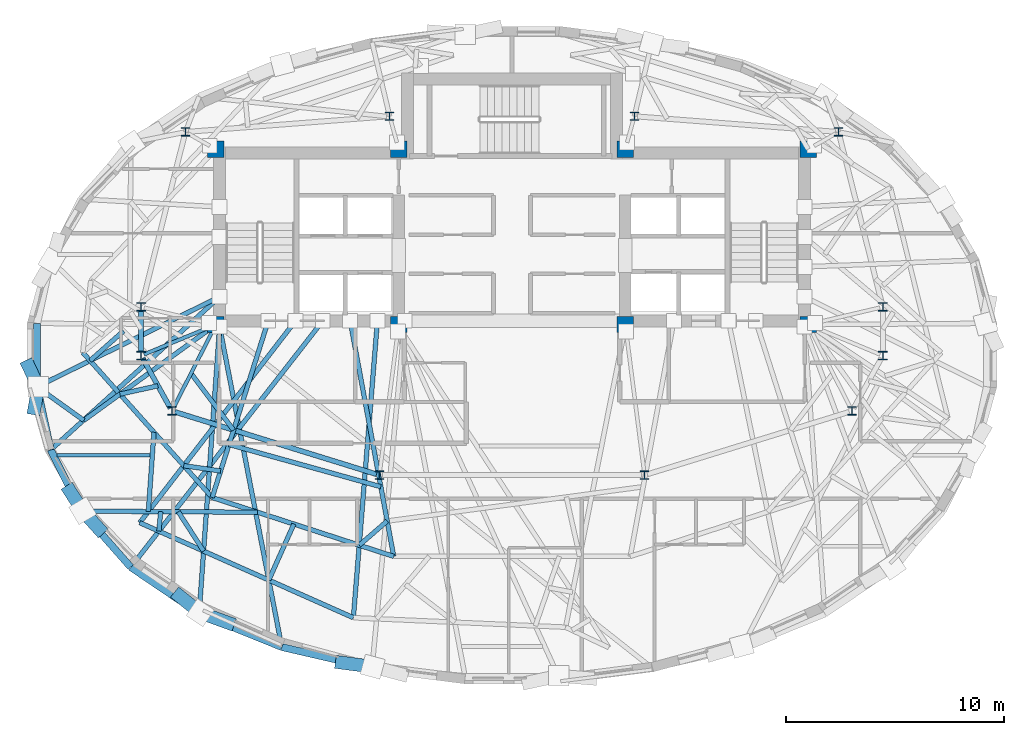
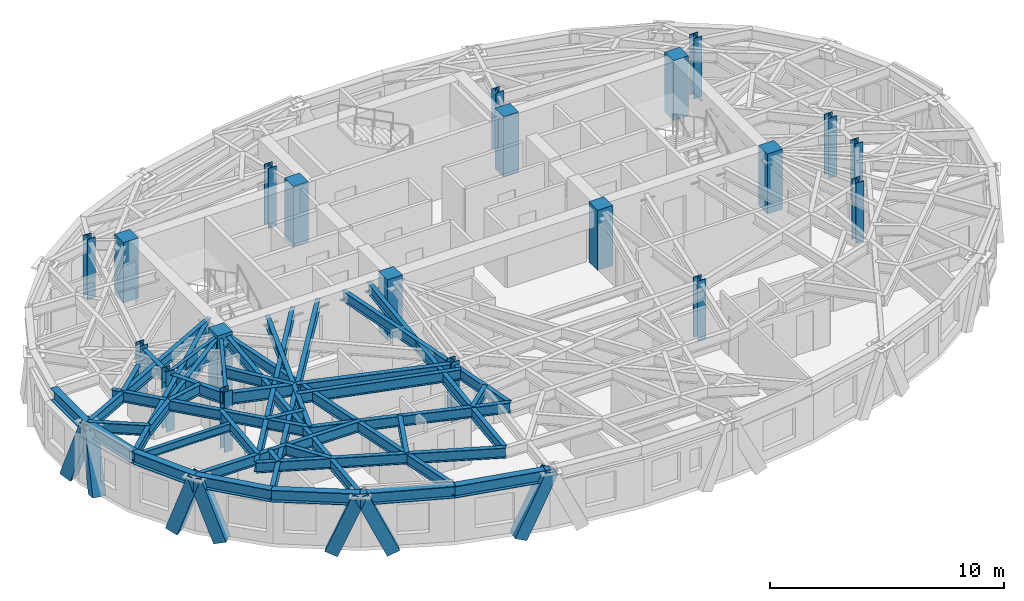
# One storey, part 1 of 13: 38 beams, 20 columns, 7 members.
"""IFC4 building model written with IfcOpenShell, lengths in metres."""

from ifc_helpers import new_model, si_unit, direction, frame, origin, origin_2d, place, context, subcontext, project, spatial, rectangle, hollow_rectangle, i_section, extrude, material, material_profile, profile_set, type_object, element, save


model = new_model("IFC4")

# Units and contexts
model_context = context("Model", 3, precision=1e-05, world=origin(), true_north=direction((0.0, 1.0)))
body_context = subcontext(model_context, "Body", "Model", "MODEL_VIEW")
ifc_project = project(units=[si_unit("LENGTHUNIT", "METRE"), si_unit("AREAUNIT", "SQUARE_METRE"), si_unit("VOLUMEUNIT", "CUBIC_METRE"), si_unit("PLANEANGLEUNIT", "RADIAN"), si_unit("MASSUNIT", "GRAM", prefix="KILO")], contexts=[model_context])

# Site, building, storey
site_placement = place(None, origin())
site = spatial("IfcSite", under=ifc_project, at=site_placement, CompositionType="ELEMENT")
building_placement = place(site_placement, origin())
building = spatial("IfcBuilding", under=site, at=building_placement, Name="Keldmark Tower", CompositionType="ELEMENT")
storey_placement = place(building_placement, frame((0.0, 0.0, 232.050048828125)))
storey = spatial("IfcBuildingStorey", under=building, at=storey_placement, Name="L65", CompositionType="ELEMENT", Elevation=232.050048828125)

# Columns
ifc_material_1 = material(Name="Concrete C50/60", Category="concrete")
ifc_material_profile_1 = material_profile(ifc_material_1, rectangle(XDim=0.75, YDim=0.75, at=origin_2d()), Name="RC750X750")
ifc_profile_set_1 = profile_set([ifc_material_profile_1], Name="Concrete C50/60")
column_type_1 = type_object("IfcColumnType", Name="Core Boundary Column RC750", PredefinedType="PILASTER", material=ifc_profile_set_1)
for number, where, z_axis, x_axis, name in (
    (1, (-13.60009765625, 1.39990234375, 0.0), (0.0, 0.0, 1.0), (1.0, 0.0, 0.0), "L65 Core Boundary Column CC-W1"),
    (2, (-13.60009765625, 9.449951171875, 0.0), (0.0, 0.0, 1.0), (1.0, 0.0, 0.0), "L65 Core Boundary Column CC-W2"),
    (3, (-5.199951171875, 1.39990234375, 0.0), (0.0, 0.0, 1.0), (1.0, 0.0, 0.0), "L65 Core Boundary Column CC-W3"),
    (4, (-5.199951171875, 9.449951171875, 0.0), (0.0, 0.0, 1.0), (1.0, 0.0, 0.0), "L65 Core Boundary Column CC-W4"),
    (5, (5.199951171875, 1.39990234375, 0.0), (0.0, 0.0, 1.0), (1.0, 0.0, 0.0), "L65 Core Boundary Column CC-E1"),
    (6, (5.199951171875, 9.449951171875, 0.0), (0.0, 0.0, 1.0), (1.0, 0.0, 0.0), "L65 Core Boundary Column CC-E2"),
    (7, (13.60009765625, 1.39990234375, 0.0), (0.0, 0.0, 1.0), (1.0, 0.0, 0.0), "L65 Core Boundary Column CC-E3"),
    (8, (13.60009765625, 9.449951171875, 0.0), (0.0, 0.0, 1.0), (1.0, 0.0, 0.0), "L65 Core Boundary Column CC-E4"),
):
    element("IfcColumn", number, at=place(storey_placement, frame(where, z_axis=z_axis, x_axis=x_axis)), inside=storey, type_object=column_type_1, Name=name, PredefinedType="PILASTER", context=body_context, shape_type="SweptSolid", body=[
        extrude(rectangle(XDim=0.75, YDim=0.75, at=origin_2d()), origin(), (0.0, 0.0, 1.0), 3.14990234375),
    ])
ifc_material_2 = material(Name="Steel ASTM A992 Grade 50", Category="steel")
ifc_material_profile_2 = material_profile(ifc_material_2, i_section(OverallWidth=0.39892578125, OverallDepth=0.386962890625, WebThickness=0.02099609375, FlangeThickness=0.033203125, at=origin_2d()), Name="W14X176")
ifc_profile_set_2 = profile_set([ifc_material_profile_2], Name="Steel ASTM A992 Grade 50")
column_type_2 = type_object("IfcColumnType", Name="Tower Gravity Column W14X176", PredefinedType="COLUMN", material=ifc_profile_set_2)
for number, where, z_axis, x_axis, name in (
    (9, (17.025634765625, 2.2080078125, 0.0), (0.0, 0.0, 1.0), (1.0, 0.0, 0.0), "L65 Tower Gravity Column TC-E1"),
    (10, (14.995849609375, 10.24365234375, 0.0), (0.0, 0.0, 1.0), (1.0, 0.0, 0.0), "L65 Tower Gravity Column TC-E4"),
    (11, (5.61865234375, 10.967041015625, 0.0), (0.0, 0.0, 1.0), (1.0, 0.0, 0.0), "L65 Tower Gravity Column TC-N2"),
    (12, (-5.61865234375, 10.967041015625, 0.0), (0.0, 0.0, 1.0), (1.0, 0.0, 0.0), "L65 Tower Gravity Column TC-N1"),
    (13, (-14.995849609375, 10.24365234375, 0.0), (0.0, 0.0, 1.0), (1.0, 0.0, 0.0), "L65 Tower Gravity Column TC-W4"),
    (14, (-17.025634765625, 2.2080078125, 0.0), (0.0, 0.0, 1.0), (1.0, 0.0, 0.0), "L65 Tower Gravity Column TC-W1"),
    (15, (-17.025634765625, -0.02392578125, 0.0), (0.0, 0.0, 1.0), (1.0, 0.0, 0.0), "L65 Tower Gravity Column TC-W5"),
    (16, (-15.6162109375, -2.5673828125, 0.0), (0.0, 0.0, 1.0), (1.0, 0.0, 0.0), "L65 Tower Gravity Column TC-W2"),
    (17, (-6.089599609375, -5.512939453125, 0.0), (0.0, 0.0, 1.0), (1.0, 0.0, 0.0), "L65 Tower Gravity Column TC-W3"),
    (18, (6.089599609375, -5.512939453125, 0.0), (0.0, 0.0, 1.0), (1.0, 0.0, 0.0), "L65 Tower Gravity Column TC-E3"),
    (19, (15.6162109375, -2.5673828125, 0.0), (0.0, 0.0, 1.0), (1.0, 0.0, 0.0), "L65 Tower Gravity Column TC-E2"),
    (20, (17.025634765625, -0.02392578125, 0.0), (0.0, 0.0, 1.0), (1.0, 0.0, 0.0), "L65 Tower Gravity Column TC-E5"),
):
    element("IfcColumn", number, at=place(storey_placement, frame(where, z_axis=z_axis, x_axis=x_axis)), inside=storey, type_object=column_type_2, Name=name, PredefinedType="COLUMN", context=body_context, shape_type="SweptSolid", body=[
        extrude(i_section(OverallWidth=0.39892578125, OverallDepth=0.386962890625, WebThickness=0.02099609375, FlangeThickness=0.033203125, at=origin_2d()), origin(), (0.0, 0.0, 1.0), 3.14990234375),
    ])

# Beam
ifc_material_3 = material(Name="Steel ASTM A992 Grade 50", Category="steel")
ifc_material_profile_3 = material_profile(ifc_material_3, i_section(OverallWidth=0.177978515625, OverallDepth=0.403076171875, WebThickness=0.007568359375, FlangeThickness=0.010986328125, at=origin_2d()), Name="W16X36")
ifc_profile_set_3 = profile_set([ifc_material_profile_3], Name="Steel ASTM A992 Grade 50")
beam_type_1 = type_object("IfcBeamType", Name="Composite Floor Joist W16X36", PredefinedType="JOIST", material=ifc_profile_set_3)
beam_1_placement = place(storey_placement, frame((-20.889404296875, -4.60009765625, 2.7685546875), z_axis=(1.0, 0.0, 0.0), x_axis=(0.0, 1.0, 0.0)))
element("IfcBeam", 21, at=beam_1_placement, inside=storey, type_object=beam_type_1, Name="L65 Composite Floor Joist J03", PredefinedType="JOIST", context=body_context, shape_type="SweptSolid", body=[
    extrude(i_section(OverallWidth=0.177978515625, OverallDepth=0.403076171875, WebThickness=0.007568359375, FlangeThickness=0.010986328125, at=origin_2d()), origin(), (0.0, 0.0, 1.0), 4.277099609375),
])

# Members
ifc_material_4 = material(Name="Steel ASTM A572 Grade 50", Category="steel")
ifc_material_profile_4 = material_profile(ifc_material_4, hollow_rectangle(XDim=0.60009765625, YDim=0.60009765625, WallThickness=0.034912109375, at=origin_2d()), Name="BOX600X600X35")
ifc_profile_set_4 = profile_set([ifc_material_profile_4], Name="Steel ASTM A572 Grade 50")
member_type = type_object("IfcMemberType", Name="Diagrid Zone 4 Brace BOX600X600X35", PredefinedType="BRACE", material=ifc_profile_set_4)
member_1_placement = place(storey_placement, frame((-22.19970703125, -0.50146484375, -0.260009765625), z_axis=(0.13700703102, -0.292440170333, 0.9464184171), x_axis=(0.905547333127, 0.424245244483, 0.0)))
element("IfcMember", 22, at=member_1_placement, inside=storey, type_object=member_type, Name="L65 Perimeter Diagrid Brace 08B", PredefinedType="BRACE", context=body_context, shape_type="SweptSolid", body=[
    extrude(hollow_rectangle(XDim=0.60009765625, YDim=0.60009765625, WallThickness=0.034912109375, at=origin_2d()), origin(), (0.0, 0.0, 1.0), 3.285888671875),
])
member_2_placement = place(storey_placement, frame((-21.9287109375, -2.455810546875, -0.260009765625), z_axis=(0.054747909819, 0.307080578642, 0.950107459497), x_axis=(-0.984476308416, 0.175517515273, 0.0)))
element("IfcMember", 23, at=member_2_placement, inside=storey, type_object=member_type, Name="L65 Perimeter Diagrid Brace 09A", PredefinedType="BRACE", context=body_context, shape_type="SweptSolid", body=[
    extrude(hollow_rectangle(XDim=0.60009765625, YDim=0.60009765625, WallThickness=0.034912109375, at=origin_2d()), origin(), (0.0, 0.0, 1.0), 3.273193359375),
])
member_3_placement = place(storey_placement, frame((-20.3017578125, -6.241455078125, -0.260009765625), z_axis=(0.177536205333, -0.27594495407, 0.944634997298), x_axis=(0.840980150857, 0.541065971823, 0.0)))
element("IfcMember", 24, at=member_3_placement, inside=storey, type_object=member_type, Name="L65 Perimeter Diagrid Brace 09B", PredefinedType="BRACE", context=body_context, shape_type="SweptSolid", body=[
    extrude(hollow_rectangle(XDim=0.60009765625, YDim=0.60009765625, WallThickness=0.034912109375, at=origin_2d()), origin(), (0.0, 0.0, 1.0), 3.292236328125),
])
member_4_placement = place(storey_placement, frame((-18.958251953125, -7.98828125, -0.260009765625), z_axis=(-0.230438966078, 0.256379009589, 0.938705324559), x_axis=(-0.743729809907, -0.668480343656, 0.0)))
element("IfcMember", 25, at=member_4_placement, inside=storey, type_object=member_type, Name="L65 Perimeter Diagrid Brace 10A", PredefinedType="BRACE", context=body_context, shape_type="SweptSolid", body=[
    extrude(hollow_rectangle(XDim=0.60009765625, YDim=0.60009765625, WallThickness=0.034912109375, at=origin_2d()), origin(), (0.0, 0.0, 1.0), 3.31298828125),
])
member_5_placement = place(storey_placement, frame((-15.27587890625, -11.057861328125, -0.260009765625), z_axis=(0.285944073993, -0.23141248776, 0.929883996559), x_axis=(0.629089754103, 0.777332670922, 0.0)))
element("IfcMember", 26, at=member_5_placement, inside=storey, type_object=member_type, Name="L65 Perimeter Diagrid Brace 10B", PredefinedType="BRACE", context=body_context, shape_type="SweptSolid", body=[
    extrude(hollow_rectangle(XDim=0.60009765625, YDim=0.60009765625, WallThickness=0.034912109375, at=origin_2d()), origin(), (0.0, 0.0, 1.0), 3.34423828125),
])
member_6_placement = place(storey_placement, frame((-13.013916015625, -12.30029296875, -0.260009765625), z_axis=(-0.3853766859, 0.139844048228, 0.912101119471), x_axis=(-0.341111913508, -0.940022692525, 0.0)))
element("IfcMember", 27, at=member_6_placement, inside=storey, type_object=member_type, Name="L65 Perimeter Diagrid Brace 11A", PredefinedType="BRACE", context=body_context, shape_type="SweptSolid", body=[
    extrude(hollow_rectangle(XDim=0.60009765625, YDim=0.60009765625, WallThickness=0.034912109375, at=origin_2d()), origin(), (0.0, 0.0, 1.0), 3.40966796875),
])
member_7_placement = place(storey_placement, frame((-7.83935546875, -14.1220703125, -0.260009765625), z_axis=(0.419875252522, -0.05540020693, 0.905889391367), x_axis=(0.130810693925, 0.991407364485, 0.0)))
element("IfcMember", 28, at=member_7_placement, inside=storey, type_object=member_type, Name="L65 Perimeter Diagrid Brace 11B", PredefinedType="BRACE", context=body_context, shape_type="SweptSolid", body=[
    extrude(hollow_rectangle(XDim=0.60009765625, YDim=0.60009765625, WallThickness=0.034912109375, at=origin_2d()), origin(), (0.0, 0.0, 1.0), 3.432861328125),
])

# Beams
ifc_material_5 = material(Name="Steel ASTM A992 Grade 50", Category="steel")
ifc_material_profile_5 = material_profile(ifc_material_5, i_section(OverallWidth=0.22802734375, OverallDepth=0.60302734375, WebThickness=0.010498046875, FlangeThickness=0.014892578125, at=origin_2d()), Name="W24X68")
ifc_profile_set_5 = profile_set([ifc_material_profile_5], Name="Steel ASTM A992 Grade 50")
beam_type_2 = type_object("IfcBeamType", Name="Primary Floor Girder W24X68", PredefinedType="BEAM", material=ifc_profile_set_5)
beam_2_placement = place(storey_placement, frame((-17.025634765625, 2.068115234375, 2.66845703125), z_axis=(0.0, -1.0, 0.0), x_axis=(1.0, 0.0, 0.0)))
element("IfcBeam", 29, at=beam_2_placement, inside=storey, type_object=beam_type_2, Name="L65 Floor Ring Girder FG-R06", PredefinedType="BEAM", context=body_context, shape_type="SweptSolid", body=[
    extrude(i_section(OverallWidth=0.22802734375, OverallDepth=0.60302734375, WebThickness=0.010498046875, FlangeThickness=0.014892578125, at=origin_2d()), origin(), (0.0, 0.0, 1.0), 1.9521484375),
])
beam_3_placement = place(storey_placement, frame((-16.957763671875, -0.146484375, 2.66845703125), z_axis=(0.484719680408, -0.874669555561, 0.0), x_axis=(0.874669555561, 0.484719680408, 0.0)))
element("IfcBeam", 30, at=beam_3_placement, inside=storey, type_object=beam_type_2, Name="L65 Floor Ring Girder FG-R07", PredefinedType="BEAM", context=body_context, shape_type="SweptSolid", body=[
    extrude(i_section(OverallWidth=0.22802734375, OverallDepth=0.60302734375, WebThickness=0.010498046875, FlangeThickness=0.014892578125, at=origin_2d()), origin(), (0.0, 0.0, 1.0), 2.627685546875),
])
beam_4_placement = place(storey_placement, frame((-15.482421875, -2.60888671875, 2.66845703125), z_axis=(0.955383255089, -0.295368982622, 0.0), x_axis=(0.295368982622, 0.955383255089, 0.0)))
element("IfcBeam", 31, at=beam_4_placement, inside=storey, type_object=beam_type_2, Name="L65 Floor Ring Girder FG-R08", PredefinedType="BEAM", context=body_context, shape_type="SweptSolid", body=[
    extrude(i_section(OverallWidth=0.22802734375, OverallDepth=0.60302734375, WebThickness=0.010498046875, FlangeThickness=0.014892578125, at=origin_2d()), origin(), (0.0, 0.0, 1.0), 9.69140625),
])
ifc_material_6 = material(Name="Steel ASTM A992 Grade 50", Category="steel")
ifc_material_profile_6 = material_profile(ifc_material_6, i_section(OverallWidth=0.166015625, OverallDepth=0.529052734375, WebThickness=0.009765625, FlangeThickness=0.013671875, at=origin_2d()), Name="W21X50")
ifc_profile_set_6 = profile_set([ifc_material_profile_6], Name="Steel ASTM A992 Grade 50")
beam_type_3 = type_object("IfcBeamType", Name="Radial Tie Girder W21X50", PredefinedType="BEAM", material=ifc_profile_set_6)
beam_5_placement = place(storey_placement, frame((-16.896240234375, 0.02978515625, 2.70556640625), z_axis=(0.923403331902, 0.383831065226, 0.0), x_axis=(-0.383831065226, 0.923403331902, 0.0)))
element("IfcBeam", 32, at=beam_5_placement, inside=storey, type_object=beam_type_3, Name="L65 Floor Radial Girder FG-C07", PredefinedType="BEAM", context=body_context, shape_type="SweptSolid", body=[
    extrude(i_section(OverallWidth=0.166015625, OverallDepth=0.529052734375, WebThickness=0.009765625, FlangeThickness=0.013671875, at=origin_2d()), origin(), (0.0, 0.0, 1.0), 3.249755859375),
])
beam_6_placement = place(storey_placement, frame((-15.552734375, -2.442626953125, 2.70556640625), z_axis=(0.453004410574, 0.89150827478, 0.0), x_axis=(-0.89150827478, 0.453004410574, 0.0)))
element("IfcBeam", 33, at=beam_6_placement, inside=storey, type_object=beam_type_3, Name="L65 Floor Radial Girder FG-C08", PredefinedType="BEAM", context=body_context, shape_type="SweptSolid", body=[
    extrude(i_section(OverallWidth=0.166015625, OverallDepth=0.529052734375, WebThickness=0.009765625, FlangeThickness=0.013671875, at=origin_2d()), origin(), (0.0, 0.0, 1.0), 3.990234375),
])
ifc_material_7 = material(Name="Steel ASTM A992 Grade 50", Category="steel")
ifc_material_profile_7 = material_profile(ifc_material_7, i_section(OverallWidth=0.2099609375, OverallDepth=0.537109375, WebThickness=0.010986328125, FlangeThickness=0.017333984375, at=origin_2d()), Name="W21X68")
ifc_profile_set_7 = profile_set([ifc_material_profile_7], Name="Steel ASTM A992 Grade 50")
beam_type_4 = type_object("IfcBeamType", Name="Radial Tie Girder W21X68", PredefinedType="BEAM", material=ifc_profile_set_7)
beam_7_placement = place(storey_placement, frame((-14.7392578125, -0.841796875, 2.701416015625), z_axis=(0.600792057917, -0.799405343455, 0.0), x_axis=(0.799405343455, 0.600792057917, 0.0)))
element("IfcBeam", 34, at=beam_7_placement, inside=storey, type_object=beam_type_4, Name="L65 Framing Pin Header PH-002", PredefinedType="BEAM", context=body_context, shape_type="SweptSolid", body=[
    extrude(i_section(OverallWidth=0.2099609375, OverallDepth=0.537109375, WebThickness=0.010986328125, FlangeThickness=0.017333984375, at=origin_2d()), origin(), (0.0, 0.0, 1.0), 3.253662109375),
])
beam_8_placement = place(storey_placement, frame((-11.19287109375, 1.574951171875, 2.701416015625), z_axis=(-0.3023360028, -0.953201417021, 0.0), x_axis=(0.953201417021, -0.3023360028, 0.0)))
element("IfcBeam", 35, at=beam_8_placement, inside=storey, type_object=beam_type_4, Name="L65 Sub-Ring Step Girder STP1-M08", PredefinedType="BEAM", context=body_context, shape_type="SweptSolid", body=[
    extrude(i_section(OverallWidth=0.2099609375, OverallDepth=0.537109375, WebThickness=0.010986328125, FlangeThickness=0.017333984375, at=origin_2d()), origin(), (0.0, 0.0, 1.0), 8.514404296875),
])
beam_9_placement = place(storey_placement, frame((-12.994873046875, -4.106201171875, 2.701416015625), z_axis=(0.963443920859, -0.267910080735, 0.0), x_axis=(0.267910080735, 0.963443920859, 0.0)))
element("IfcBeam", 36, at=beam_9_placement, inside=storey, type_object=beam_type_4, Name="L65 Framing Pin Header PH-003", PredefinedType="BEAM", context=body_context, shape_type="SweptSolid", body=[
    extrude(i_section(OverallWidth=0.2099609375, OverallDepth=0.537109375, WebThickness=0.010986328125, FlangeThickness=0.017333984375, at=origin_2d()), origin(), (0.0, 0.0, 1.0), 7.236572265625),
])
beam_10_placement = place(storey_placement, frame((-7.43212890625, 1.574951171875, 2.701416015625), z_axis=(0.181862035839, -0.983324056413, 0.0), x_axis=(0.983324056413, 0.181862035839, 0.0)))
element("IfcBeam", 37, at=beam_10_placement, inside=storey, type_object=beam_type_4, Name="L65 Sub-Ring Step Girder STP1-M09", PredefinedType="BEAM", context=body_context, shape_type="SweptSolid", body=[
    extrude(i_section(OverallWidth=0.2099609375, OverallDepth=0.537109375, WebThickness=0.010986328125, FlangeThickness=0.017333984375, at=origin_2d()), origin(), (0.0, 0.0, 1.0), 11.004150390625),
])
beam_11_placement = place(storey_placement, frame((-19.709228515625, 0.118896484375, 2.701416015625), z_axis=(0.665753182489, -0.746172031107, 0.0), x_axis=(0.746172031107, 0.665753182489, 0.0)))
element("IfcBeam", 38, at=beam_11_placement, inside=storey, type_object=beam_type_4, Name="L65 Perimeter Collector Ring Beam CRG1-M07", PredefinedType="BEAM", context=body_context, shape_type="SweptSolid", body=[
    extrude(i_section(OverallWidth=0.2099609375, OverallDepth=0.537109375, WebThickness=0.010986328125, FlangeThickness=0.017333984375, at=origin_2d()), origin(), (0.0, 0.0, 1.0), 8.925537109375),
])
beam_12_placement = place(storey_placement, frame((-13.76708984375, -6.541015625, 2.701416015625), z_axis=(0.951190555886, -0.308604158094, 0.0), x_axis=(0.308604158094, 0.951190555886, 0.0)))
element("IfcBeam", 39, at=beam_12_placement, inside=storey, type_object=beam_type_4, Name="L65 Perimeter Collector Ring Beam CRG1-M08", PredefinedType="BEAM", context=body_context, shape_type="SweptSolid", body=[
    extrude(i_section(OverallWidth=0.2099609375, OverallDepth=0.537109375, WebThickness=0.010986328125, FlangeThickness=0.017333984375, at=origin_2d()), origin(), (0.0, 0.0, 1.0), 8.763916015625),
])
beam_13_placement = place(storey_placement, frame((-13.381103515625, -5.323486328125, 2.701416015625), z_axis=(-0.989621184917, 0.143700766747, 0.0), x_axis=(-0.143700766747, -0.989621184917, 0.0)))
element("IfcBeam", 40, at=beam_13_placement, inside=storey, type_object=beam_type_4, Name="L65 Framing Pin Header PH-008", PredefinedType="BEAM", context=body_context, shape_type="SweptSolid", body=[
    extrude(i_section(OverallWidth=0.2099609375, OverallDepth=0.537109375, WebThickness=0.010986328125, FlangeThickness=0.017333984375, at=origin_2d()), origin(), (0.0, 0.0, 1.0), 1.709228515625),
])
beam_14_placement = place(storey_placement, frame((-9.939208984375, 1.574951171875, 2.701416015625), z_axis=(-0.610875902906, -0.791726361345, 0.0), x_axis=(0.791726361345, -0.610875902906, 0.0)))
element("IfcBeam", 41, at=beam_14_placement, inside=storey, type_object=beam_type_4, Name="L65 Sub-Ring Step Girder STP2-M08", PredefinedType="BEAM", context=body_context, shape_type="SweptSolid", body=[
    extrude(i_section(OverallWidth=0.2099609375, OverallDepth=0.537109375, WebThickness=0.010986328125, FlangeThickness=0.017333984375, at=origin_2d()), origin(), (0.0, 0.0, 1.0), 11.70947265625),
])
beam_15_placement = place(storey_placement, frame((-5.731201171875, -7.622314453125, 2.701416015625), z_axis=(-0.756486336997, -0.654009496825, 0.0), x_axis=(0.654009496825, -0.756486336997, 0.0)))
element("IfcBeam", 42, at=beam_15_placement, inside=storey, type_object=beam_type_4, Name="L65 Framing Pin Header PH-009", PredefinedType="BEAM", context=body_context, shape_type="SweptSolid", body=[
    extrude(i_section(OverallWidth=0.2099609375, OverallDepth=0.537109375, WebThickness=0.010986328125, FlangeThickness=0.017333984375, at=origin_2d()), origin(), (0.0, 0.0, 1.0), 1.6962890625),
])
beam_16_placement = place(storey_placement, frame((-6.1787109375, 1.574951171875, 2.701416015625), z_axis=(-0.080804848006, -0.996729941628, 0.0), x_axis=(0.996729941628, -0.080804848006, 0.0)))
element("IfcBeam", 43, at=beam_16_placement, inside=storey, type_object=beam_type_4, Name="L65 Sub-Ring Step Girder STP2-M09", PredefinedType="BEAM", context=body_context, shape_type="SweptSolid", body=[
    extrude(i_section(OverallWidth=0.2099609375, OverallDepth=0.537109375, WebThickness=0.010986328125, FlangeThickness=0.017333984375, at=origin_2d()), origin(), (0.0, 0.0, 1.0), 13.6806640625),
])
beam_17_placement = place(storey_placement, frame((-17.09228515625, -7.69580078125, 2.701416015625), z_axis=(0.913601364177, -0.406611051712, 0.0), x_axis=(0.406611051712, 0.913601364177, 0.0)))
element("IfcBeam", 44, at=beam_17_placement, inside=storey, type_object=beam_type_4, Name="L65 Perimeter Collector Ring Beam CRG2-M08", PredefinedType="BEAM", context=body_context, shape_type="SweptSolid", body=[
    extrude(i_section(OverallWidth=0.2099609375, OverallDepth=0.537109375, WebThickness=0.010986328125, FlangeThickness=0.017333984375, at=origin_2d()), origin(), (0.0, 0.0, 1.0), 10.735595703125),
])
beam_18_placement = place(storey_placement, frame((-17.83837890625, 1.106689453125, 2.701416015625), z_axis=(-0.74788137502, -0.663832395186, 0.0), x_axis=(0.663832395186, -0.74788137502, 0.0)))
element("IfcBeam", 45, at=beam_18_placement, inside=storey, type_object=beam_type_4, Name="L65 Framing Pin Header PH-021", PredefinedType="BEAM", context=body_context, shape_type="SweptSolid", body=[
    extrude(i_section(OverallWidth=0.2099609375, OverallDepth=0.537109375, WebThickness=0.010986328125, FlangeThickness=0.017333984375, at=origin_2d()), origin(), (0.0, 0.0, 1.0), 2.0537109375),
])
beam_19_placement = place(storey_placement, frame((-13.425048828125, 2.675048828125, 2.701416015625), z_axis=(-0.897003254377, -0.442023937855, 0.0), x_axis=(0.442023937855, -0.897003254377, 0.0)))
element("IfcBeam", 46, at=beam_19_placement, inside=storey, type_object=beam_type_4, Name="L65 Perimeter Radial Tie Girder RT-17", PredefinedType="BEAM", context=body_context, shape_type="SweptSolid", body=[
    extrude(i_section(OverallWidth=0.2099609375, OverallDepth=0.537109375, WebThickness=0.010986328125, FlangeThickness=0.017333984375, at=origin_2d()), origin(), (0.0, 0.0, 1.0), 9.346923828125),
])
beam_20_placement = place(storey_placement, frame((-16.257080078125, -1.41064453125, 2.701416015625), z_axis=(-0.976631849806, -0.214919124195, 0.0), x_axis=(0.214919124195, -0.976631849806, 0.0)))
element("IfcBeam", 47, at=beam_20_placement, inside=storey, type_object=beam_type_4, Name="L65 Framing Pin Header PH-022", PredefinedType="BEAM", context=body_context, shape_type="SweptSolid", body=[
    extrude(i_section(OverallWidth=0.2099609375, OverallDepth=0.537109375, WebThickness=0.010986328125, FlangeThickness=0.017333984375, at=origin_2d()), origin(), (0.0, 0.0, 1.0), 1.786865234375),
])
beam_21_placement = place(storey_placement, frame((-13.60009765625, 1.39990234375, 2.701416015625), z_axis=(-0.809347410598, -0.587330204364, 0.0), x_axis=(0.587330204364, -0.809347410598, 0.0)))
element("IfcBeam", 48, at=beam_21_placement, inside=storey, type_object=beam_type_4, Name="L65 Intermediate Radial Step Girder RT-18M", PredefinedType="BEAM", context=body_context, shape_type="SweptSolid", body=[
    extrude(i_section(OverallWidth=0.2099609375, OverallDepth=0.537109375, WebThickness=0.010986328125, FlangeThickness=0.017333984375, at=origin_2d()), origin(), (0.0, 0.0, 1.0), 7.48974609375),
])
beam_22_placement = place(storey_placement, frame((-21.809326171875, -1.45654296875, 2.701416015625), z_axis=(0.812195844411, -0.583384873237, 0.0), x_axis=(0.583384873237, 0.812195844411, 0.0)))
element("IfcBeam", 49, at=beam_22_placement, inside=storey, type_object=beam_type_4, Name="L65 Local Collector Chord RT-18C", PredefinedType="BEAM", context=body_context, shape_type="SweptSolid", body=[
    extrude(i_section(OverallWidth=0.2099609375, OverallDepth=0.537109375, WebThickness=0.010986328125, FlangeThickness=0.017333984375, at=origin_2d()), origin(), (0.0, 0.0, 1.0), 2.64404296875),
])
beam_23_placement = place(storey_placement, frame((-13.425048828125, 2.675048828125, 2.701416015625), z_axis=(-0.740956137534, -0.671553424718, 0.0), x_axis=(0.671553424718, -0.740956137534, 0.0)))
element("IfcBeam", 50, at=beam_23_placement, inside=storey, type_object=beam_type_4, Name="L65 Perimeter Radial Tie Girder RT-18", PredefinedType="BEAM", context=body_context, shape_type="SweptSolid", body=[
    extrude(i_section(OverallWidth=0.2099609375, OverallDepth=0.537109375, WebThickness=0.010986328125, FlangeThickness=0.017333984375, at=origin_2d()), origin(), (0.0, 0.0, 1.0), 10.472412109375),
])
beam_24_placement = place(storey_placement, frame((-16.441162109375, -3.5439453125, 2.701416015625), z_axis=(-0.070672101234, -0.997499601056, 0.0), x_axis=(0.997499601056, -0.070672101234, 0.0)))
element("IfcBeam", 51, at=beam_24_placement, inside=storey, type_object=beam_type_4, Name="L65 Framing Pin Header PH-023", PredefinedType="BEAM", context=body_context, shape_type="SweptSolid", body=[
    extrude(i_section(OverallWidth=0.2099609375, OverallDepth=0.537109375, WebThickness=0.010986328125, FlangeThickness=0.017333984375, at=origin_2d()), origin(), (0.0, 0.0, 1.0), 3.6513671875),
])
beam_25_placement = place(storey_placement, frame((-11.68310546875, -7.217041015625, 2.701416015625), z_axis=(-0.999981057628, 0.00615502929, 0.0), x_axis=(-0.00615502929, -0.999981057628, 0.0)))
element("IfcBeam", 52, at=beam_25_placement, inside=storey, type_object=beam_type_4, Name="L65 Perimeter Radial Tie Girder RT-19", PredefinedType="BEAM", context=body_context, shape_type="SweptSolid", body=[
    extrude(i_section(OverallWidth=0.2099609375, OverallDepth=0.537109375, WebThickness=0.010986328125, FlangeThickness=0.017333984375, at=origin_2d()), origin(), (0.0, 0.0, 1.0), 8.091796875),
])
beam_26_placement = place(storey_placement, frame((-16.133544921875, -7.189697265625, 2.701416015625), z_axis=(-0.090315656941, -0.995913190048, 0.0), x_axis=(0.995913190048, -0.090315656941, 0.0)))
element("IfcBeam", 53, at=beam_26_placement, inside=storey, type_object=beam_type_4, Name="L65 Framing Pin Header PH-024", PredefinedType="BEAM", context=body_context, shape_type="SweptSolid", body=[
    extrude(i_section(OverallWidth=0.2099609375, OverallDepth=0.537109375, WebThickness=0.010986328125, FlangeThickness=0.017333984375, at=origin_2d()), origin(), (0.0, 0.0, 1.0), 0.900146484375),
])
beam_27_placement = place(storey_placement, frame((-8.685791015625, 1.574951171875, 2.701416015625), z_axis=(-0.614697840176, -0.78876267995, 0.0), x_axis=(0.78876267995, -0.614697840176, 0.0)))
element("IfcBeam", 54, at=beam_27_placement, inside=storey, type_object=beam_type_4, Name="L65 Perimeter Radial Tie Girder RT-20", PredefinedType="BEAM", context=body_context, shape_type="SweptSolid", body=[
    extrude(i_section(OverallWidth=0.2099609375, OverallDepth=0.537109375, WebThickness=0.010986328125, FlangeThickness=0.017333984375, at=origin_2d()), origin(), (0.0, 0.0, 1.0), 14.346923828125),
])
beam_28_placement = place(storey_placement, frame((-15.324462890625, -7.194580078125, 2.701416015625), z_axis=(0.541624604309, -0.840620477985, 0.0), x_axis=(0.840620477985, 0.541624604309, 0.0)))
element("IfcBeam", 55, at=beam_28_placement, inside=storey, type_object=beam_type_4, Name="L65 Framing Pin Header PH-025", PredefinedType="BEAM", context=body_context, shape_type="SweptSolid", body=[
    extrude(i_section(OverallWidth=0.2099609375, OverallDepth=0.537109375, WebThickness=0.010986328125, FlangeThickness=0.017333984375, at=origin_2d()), origin(), (0.0, 0.0, 1.0), 2.148193359375),
])
beam_29_placement = place(storey_placement, frame((-13.425048828125, 1.300048828125, 2.701416015625), z_axis=(-0.071261504304, -0.997457667274, 0.0), x_axis=(0.997457667274, -0.071261504304, 0.0)))
element("IfcBeam", 56, at=beam_29_placement, inside=storey, type_object=beam_type_4, Name="L65 Perimeter Radial Tie Girder RT-21", PredefinedType="BEAM", context=body_context, shape_type="SweptSolid", body=[
    extrude(i_section(OverallWidth=0.2099609375, OverallDepth=0.537109375, WebThickness=0.010986328125, FlangeThickness=0.017333984375, at=origin_2d()), origin(), (0.0, 0.0, 1.0), 13.20361328125),
])
beam_30_placement = place(storey_placement, frame((-10.015869140625, -7.758056640625, 2.701416015625), z_axis=(-0.40812120546, -0.912927752702, 0.0), x_axis=(0.912927752702, -0.40812120546, 0.0)))
element("IfcBeam", 57, at=beam_30_placement, inside=storey, type_object=beam_type_4, Name="L65 Framing Pin Header PH-026", PredefinedType="BEAM", context=body_context, shape_type="SweptSolid", body=[
    extrude(i_section(OverallWidth=0.2099609375, OverallDepth=0.537109375, WebThickness=0.010986328125, FlangeThickness=0.017333984375, at=origin_2d()), origin(), (0.0, 0.0, 1.0), 2.820556640625),
])
beam_31_placement = place(storey_placement, frame((-13.425048828125, 1.300048828125, 2.701416015625), z_axis=(0.1905543397, -0.981676649219, 0.0), x_axis=(0.981676649219, 0.1905543397, 0.0)))
element("IfcBeam", 58, at=beam_31_placement, inside=storey, type_object=beam_type_4, Name="L65 Perimeter Radial Tie Girder RT-22", PredefinedType="BEAM", context=body_context, shape_type="SweptSolid", body=[
    extrude(i_section(OverallWidth=0.2099609375, OverallDepth=0.537109375, WebThickness=0.010986328125, FlangeThickness=0.017333984375, at=origin_2d()), origin(), (0.0, 0.0, 1.0), 14.98388671875),
])
ifc_material_8 = material(Name="Steel ASTM A992 Grade 50", Category="steel")
ifc_material_profile_8 = material_profile(ifc_material_8, i_section(OverallWidth=0.326904296875, OverallDepth=0.6220703125, WebThickness=0.015380859375, FlangeThickness=0.0244140625, at=origin_2d()), Name="W24X131")
ifc_profile_set_8 = profile_set([ifc_material_profile_8], Name="Steel ASTM A992 Grade 50")
beam_type_5 = type_object("IfcBeamType", Name="Spandrel Ring Beam W24X131", PredefinedType="SPANDREL", material=ifc_profile_set_8)
beam_32_placement = place(storey_placement, frame((-21.809326171875, 1.45654296875, 2.658935546875), z_axis=(0.0, -1.0, 0.0), x_axis=(1.0, 0.0, 0.0)))
element("IfcBeam", 59, at=beam_32_placement, inside=storey, type_object=beam_type_5, Name="L65 Perimeter Spandrel Ring Beam SRB-16", PredefinedType="SPANDREL", context=body_context, shape_type="SweptSolid", body=[
    extrude(i_section(OverallWidth=0.326904296875, OverallDepth=0.6220703125, WebThickness=0.015380859375, FlangeThickness=0.0244140625, at=origin_2d()), origin(), (0.0, 0.0, 1.0), 2.9130859375),
])
beam_33_placement = place(storey_placement, frame((-21.809326171875, -1.45654296875, 2.658935546875), z_axis=(0.210523418042, -0.977588814613, 0.0), x_axis=(0.977588814613, 0.210523418042, 0.0)))
element("IfcBeam", 60, at=beam_33_placement, inside=storey, type_object=beam_type_5, Name="L65 Perimeter Spandrel Ring Beam SRB-17", PredefinedType="SPANDREL", context=body_context, shape_type="SweptSolid", body=[
    extrude(i_section(OverallWidth=0.326904296875, OverallDepth=0.6220703125, WebThickness=0.015380859375, FlangeThickness=0.0244140625, at=origin_2d()), origin(), (0.0, 0.0, 1.0), 2.967529296875),
])
beam_34_placement = place(storey_placement, frame((-21.1845703125, -4.357666015625, 2.658935546875), z_axis=(0.448517898993, -0.89377384963, 0.0), x_axis=(0.89377384963, 0.448517898993, 0.0)))
element("IfcBeam", 61, at=beam_34_placement, inside=storey, type_object=beam_type_5, Name="L65 Perimeter Spandrel Ring Beam SRB-18", PredefinedType="SPANDREL", context=body_context, shape_type="SweptSolid", body=[
    extrude(i_section(OverallWidth=0.326904296875, OverallDepth=0.6220703125, WebThickness=0.015380859375, FlangeThickness=0.0244140625, at=origin_2d()), origin(), (0.0, 0.0, 1.0), 3.1435546875),
])
beam_35_placement = place(storey_placement, frame((-19.774658203125, -7.167236328125, 2.658935546875), z_axis=(0.66136043846, -0.750068243855, 0.0), x_axis=(0.750068243855, 0.66136043846, 0.0)))
element("IfcBeam", 62, at=beam_35_placement, inside=storey, type_object=beam_type_5, Name="L65 Perimeter Spandrel Ring Beam SRB-19", PredefinedType="SPANDREL", context=body_context, shape_type="SweptSolid", body=[
    extrude(i_section(OverallWidth=0.326904296875, OverallDepth=0.6220703125, WebThickness=0.015380859375, FlangeThickness=0.0244140625, at=origin_2d()), origin(), (0.0, 0.0, 1.0), 3.431884765625),
])
beam_36_placement = place(storey_placement, frame((-17.5048828125, -9.741455078125, 2.658935546875), z_axis=(0.827637036896, -0.561263694851, 0.0), x_axis=(0.561263694851, 0.827637036896, 0.0)))
element("IfcBeam", 63, at=beam_36_placement, inside=storey, type_object=beam_type_5, Name="L65 Perimeter Spandrel Ring Beam SRB-20", PredefinedType="SPANDREL", context=body_context, shape_type="SweptSolid", body=[
    extrude(i_section(OverallWidth=0.326904296875, OverallDepth=0.6220703125, WebThickness=0.015380859375, FlangeThickness=0.0244140625, at=origin_2d()), origin(), (0.0, 0.0, 1.0), 3.792724609375),
])
beam_37_placement = place(storey_placement, frame((-14.365966796875, -11.8701171875, 2.658935546875), z_axis=(0.926731976866, -0.375723093586, 0.0), x_axis=(0.375723093586, 0.926731976866, 0.0)))
element("IfcBeam", 64, at=beam_37_placement, inside=storey, type_object=beam_type_5, Name="L65 Perimeter Spandrel Ring Beam SRB-21", PredefinedType="SPANDREL", context=body_context, shape_type="SweptSolid", body=[
    extrude(i_section(OverallWidth=0.326904296875, OverallDepth=0.6220703125, WebThickness=0.015380859375, FlangeThickness=0.0244140625, at=origin_2d()), origin(), (0.0, 0.0, 1.0), 4.09619140625),
])
beam_38_placement = place(storey_placement, frame((-10.56982421875, -13.4091796875, 2.658935546875), z_axis=(0.974411512007, -0.224771451185, 0.0), x_axis=(0.224771451185, 0.974411512007, 0.0)))
element("IfcBeam", 65, at=beam_38_placement, inside=storey, type_object=beam_type_5, Name="L65 Perimeter Spandrel Ring Beam SRB-22", PredefinedType="SPANDREL", context=body_context, shape_type="SweptSolid", body=[
    extrude(i_section(OverallWidth=0.326904296875, OverallDepth=0.6220703125, WebThickness=0.015380859375, FlangeThickness=0.0244140625, at=origin_2d()), origin(), (0.0, 0.0, 1.0), 4.25244140625),
])

save(model, "model.ifc")
